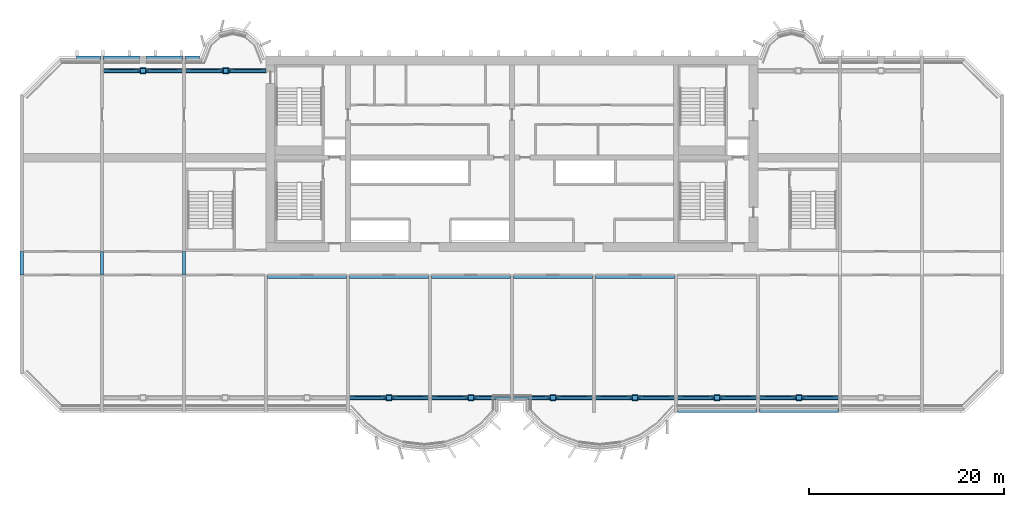
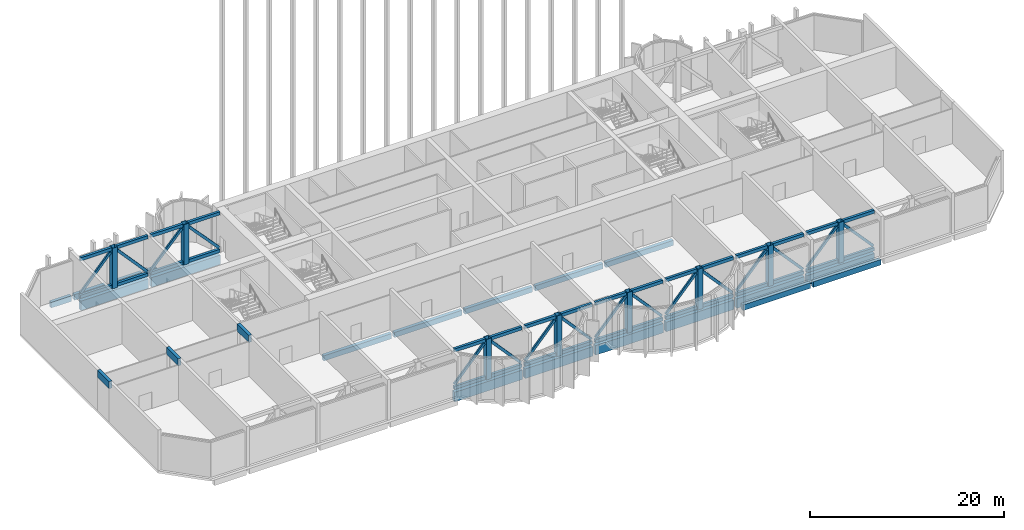
# One storey, part 2 of 17: 56 members, 22 beams.
"""IFC4 building model written with IfcOpenShell, lengths in metres."""

from ifc_helpers import new_model, si_unit, direction, frame, origin, origin_2d, place, context, subcontext, project, spatial, rectangle, hollow_rectangle, extrude, source, transform, mapped, material, material_profile, profile_set, type_object, element, save


model = new_model("IFC4")

# Units and contexts
model_context = context("Model", 3, precision=1e-05, world=origin(), true_north=direction((0.0, 1.0)))
body_context = subcontext(model_context, "Body", "Model", "MODEL_VIEW")
ifc_project = project(units=[si_unit("LENGTHUNIT", "METRE"), si_unit("AREAUNIT", "SQUARE_METRE"), si_unit("VOLUMEUNIT", "CUBIC_METRE"), si_unit("PLANEANGLEUNIT", "RADIAN"), si_unit("MASSUNIT", "GRAM", prefix="KILO")], contexts=[model_context])

# Site, building, storey
site_placement = place(None, origin())
site = spatial("IfcSite", under=ifc_project, at=site_placement, CompositionType="ELEMENT")
building_placement = place(site_placement, origin())
building = spatial("IfcBuilding", under=site, at=building_placement, Name="Vanashikhar Sky Hotel", CompositionType="ELEMENT")
storey_placement = place(building_placement, frame((0.0, 0.0, 140.800048828125)))
storey = spatial("IfcBuildingStorey", under=building, at=storey_placement, Name="L34", CompositionType="ELEMENT", Elevation=140.800048828125)

# Beams
ifc_material_1 = material(Name="Concrete M50", Category="concrete")
ifc_material_profile_1 = material_profile(ifc_material_1, rectangle(XDim=0.35009765625, YDim=0.89990234375, at=origin_2d()))
ifc_profile_set_1 = profile_set([ifc_material_profile_1], Name="RC 350x900 beam Concrete M50")
beam_type_1 = type_object("IfcBeamType", Name="RC 350x900 beam Concrete M50", PredefinedType="LINTEL", material=ifc_profile_set_1)
shared_shape_1 = source(origin(), body_context, "Body", "SweptSolid", [
    extrude(rectangle(XDim=0.35009765625, YDim=0.89990234375, at=origin_2d()), origin(), (0.0, 0.0, 1.0), 2.39990234375),
])
for number, where, z_axis, x_axis, name in (
    (1, (0.175048828125, 19.60009765625, 4.669921875), (0.0, 1.0, 0.0), (-1.0, 0.0, 0.0), "LB-L34-XW01"),
    (2, (8.39990234375, 19.60009765625, 4.669921875), (0.0, 1.0, 0.0), (-1.0, 0.0, 0.0), "LB-L34-XW02"),
    (3, (16.800048828125, 19.60009765625, 4.669921875), (0.0, 1.0, 0.0), (-1.0, 0.0, 0.0), "LB-L34-XW03"),
):
    element("IfcBeam", number, at=place(storey_placement, frame(where, z_axis=z_axis, x_axis=x_axis)), inside=storey, type_object=beam_type_1, Name=name, PredefinedType="LINTEL", context=body_context, shape_type="MappedRepresentation", body=[
        mapped(shared_shape_1, transform((0.0, 0.0, 0.0), scale=1.0)),
    ])
ifc_material_profile_2 = material_profile(ifc_material_1, rectangle(XDim=0.39990234375, YDim=0.699951171875, at=origin_2d()))
ifc_profile_set_2 = profile_set([ifc_material_profile_2], Name="RC 400x700 beam Concrete M50")
beam_type_2 = type_object("IfcBeamType", Name="RC 400x700 beam Concrete M50", PredefinedType="SPANDREL", material=ifc_profile_set_2)
shared_shape_2 = source(origin(), body_context, "Body", "SweptSolid", [
    extrude(rectangle(XDim=0.39990234375, YDim=0.699951171875, at=origin_2d()), origin(), (0.0, 0.0, 1.0), 8.050048828125),
])
for number, where, z_axis, x_axis, name in (
    (4, (67.375, 5.699951171875, -0.630126953125), (1.0, 0.0, 0.0), (0.0, 1.0, 0.0), "EB-L34-F05"),
    (5, (75.77490234375, 5.699951171875, -0.630126953125), (1.0, 0.0, 0.0), (0.0, 1.0, 0.0), "EB-L34-F06"),
):
    element("IfcBeam", number, at=place(storey_placement, frame(where, z_axis=z_axis, x_axis=x_axis)), inside=storey, type_object=beam_type_2, Name=name, PredefinedType="SPANDREL", context=body_context, shape_type="MappedRepresentation", body=[
        mapped(shared_shape_2, transform((0.0, 0.0, 0.0), scale=1.0)),
    ])
shared_shape_3 = source(origin(), body_context, "Body", "SweptSolid", [
    extrude(rectangle(XDim=0.39990234375, YDim=0.699951171875, at=origin_2d()), origin(), (0.0, 0.0, 1.0), 3.675048828125),
])
for number, where, z_axis, x_axis, name in (
    (6, (8.574951171875, 41.800048828125, -0.630126953125), (1.0, 0.0, 0.0), (0.0, 1.0, 0.0), "EB-L34-R01"),
    (7, (12.949951171875, 41.800048828125, -0.630126953125), (1.0, 0.0, 0.0), (0.0, 1.0, 0.0), "EB-L34-R02"),
):
    element("IfcBeam", number, at=place(storey_placement, frame(where, z_axis=z_axis, x_axis=x_axis)), inside=storey, type_object=beam_type_2, Name=name, PredefinedType="SPANDREL", context=body_context, shape_type="MappedRepresentation", body=[
        mapped(shared_shape_3, transform((0.0, 0.0, 0.0), scale=1.0)),
    ])
ifc_material_profile_3 = material_profile(ifc_material_1, rectangle(XDim=0.39990234375, YDim=0.699951171875, at=origin_2d()))
ifc_profile_set_3 = profile_set([ifc_material_profile_3], Name="RC 400x700 cantilever beam Concrete M50")
beam_type_3 = type_object("IfcBeamType", Name="RC 400x700 cantilever beam Concrete M50", PredefinedType="SPANDREL", material=ifc_profile_set_3)
shared_shape_4 = source(origin(), body_context, "Body", "SweptSolid", [
    extrude(rectangle(XDim=0.39990234375, YDim=0.699951171875, at=origin_2d()), origin(), (0.0, 0.0, 1.0), 2.43017578125),
])
beam_1_placement = place(storey_placement, frame((5.794921875, 41.800048828125, -0.630126953125), z_axis=(1.0, 0.0, 0.0), x_axis=(0.0, 1.0, 0.0)))
element("IfcBeam", 8, at=beam_1_placement, inside=storey, type_object=beam_type_3, Name="EB-L34-R03", PredefinedType="SPANDREL", context=body_context, shape_type="MappedRepresentation", body=[
    mapped(shared_shape_4, transform((0.0, 0.0, 0.0), scale=1.0)),
])
shared_shape_5 = source(origin(), body_context, "Body", "SweptSolid", [
    extrude(rectangle(XDim=0.39990234375, YDim=0.699951171875, at=origin_2d()), origin(), (0.0, 0.0, 1.0), 1.4248046875),
])
beam_2_placement = place(storey_placement, frame((16.97509765625, 41.800048828125, -0.630126953125), z_axis=(1.0, 0.0, 0.0), x_axis=(0.0, 1.0, 0.0)))
element("IfcBeam", 9, at=beam_2_placement, inside=storey, type_object=beam_type_3, Name="EB-L34-R04", PredefinedType="SPANDREL", context=body_context, shape_type="MappedRepresentation", body=[
    mapped(shared_shape_5, transform((0.0, 0.0, 0.0), scale=1.0)),
])
ifc_material_profile_4 = material_profile(ifc_material_1, rectangle(XDim=0.39990234375, YDim=0.64990234375, at=origin_2d()))
ifc_profile_set_4 = profile_set([ifc_material_profile_4], Name="RC 400x650 beam Concrete M50")
beam_type_4 = type_object("IfcBeamType", Name="RC 400x650 beam Concrete M50", PredefinedType="BEAM", material=ifc_profile_set_4)
shared_shape_6 = source(origin(), body_context, "Body", "SweptSolid", [
    extrude(rectangle(XDim=0.39990234375, YDim=0.64990234375, at=origin_2d()), origin(), (0.0, 0.0, 1.0), 8.050048828125),
])
for number, where, z_axis, x_axis, name in (
    (10, (25.375, 19.39990234375, -0.60498046875), (1.0, 0.0, 0.0), (0.0, 1.0, 0.0), "CB-L34-01"),
    (11, (33.77490234375, 19.39990234375, -0.60498046875), (1.0, 0.0, 0.0), (0.0, 1.0, 0.0), "CB-L34-02"),
    (12, (42.175048828125, 19.39990234375, -0.60498046875), (1.0, 0.0, 0.0), (0.0, 1.0, 0.0), "CB-L34-03"),
    (13, (50.574951171875, 19.39990234375, -0.60498046875), (1.0, 0.0, 0.0), (0.0, 1.0, 0.0), "CB-L34-04"),
):
    element("IfcBeam", number, at=place(storey_placement, frame(where, z_axis=z_axis, x_axis=x_axis)), inside=storey, type_object=beam_type_4, Name=name, PredefinedType="BEAM", context=body_context, shape_type="MappedRepresentation", body=[
        mapped(shared_shape_6, transform((0.0, 0.0, 0.0), scale=1.0)),
    ])
shared_shape_7 = source(origin(), body_context, "Body", "SweptSolid", [
    extrude(rectangle(XDim=0.39990234375, YDim=0.64990234375, at=origin_2d()), origin(), (0.0, 0.0, 1.0), 8.0498046875),
])
beam_3_placement = place(storey_placement, frame((58.97509765625, 19.39990234375, -0.60498046875), z_axis=(1.0, 0.0, 0.0), x_axis=(0.0, 1.0, 0.0)))
element("IfcBeam", 14, at=beam_3_placement, inside=storey, type_object=beam_type_4, Name="CB-L34-05", PredefinedType="BEAM", context=body_context, shape_type="MappedRepresentation", body=[
    mapped(shared_shape_7, transform((0.0, 0.0, 0.0), scale=1.0)),
])
ifc_material_profile_5 = material_profile(ifc_material_1, rectangle(XDim=0.449951171875, YDim=1.199951171875, at=origin_2d()))
ifc_profile_set_5 = profile_set([ifc_material_profile_5], Name="RC 450x1200 beam Concrete M50")
beam_type_5 = type_object("IfcBeamType", Name="RC 450x1200 beam Concrete M50", PredefinedType="BEAM", material=ifc_profile_set_5)
shared_shape_8 = source(origin(), body_context, "Body", "SweptSolid", [
    extrude(rectangle(XDim=0.449951171875, YDim=1.199951171875, at=origin_2d()), origin(), (0.0, 0.0, 1.0), 8.050048828125),
])
for number, where, z_axis, x_axis, name in (
    (15, (33.77490234375, 7.0, -0.880126953125), (1.0, 0.0, 0.0), (0.0, 1.0, 0.0), "TG-L34-F04"),
    (16, (42.175048828125, 7.0, -0.880126953125), (1.0, 0.0, 0.0), (0.0, 1.0, 0.0), "TG-L34-F05"),
    (17, (50.574951171875, 7.0, -0.880126953125), (1.0, 0.0, 0.0), (0.0, 1.0, 0.0), "TG-L34-F06"),
    (18, (67.375, 7.0, -0.880126953125), (1.0, 0.0, 0.0), (0.0, 1.0, 0.0), "TG-L34-F08"),
    (19, (75.77490234375, 7.0, -0.880126953125), (1.0, 0.0, 0.0), (0.0, 1.0, 0.0), "TG-L34-F09"),
    (20, (8.574951171875, 40.5, -0.880126953125), (1.0, 0.0, 0.0), (0.0, 1.0, 0.0), "TG-L34-R11"),
):
    element("IfcBeam", number, at=place(storey_placement, frame(where, z_axis=z_axis, x_axis=x_axis)), inside=storey, type_object=beam_type_5, Name=name, PredefinedType="BEAM", context=body_context, shape_type="MappedRepresentation", body=[
        mapped(shared_shape_8, transform((0.0, 0.0, 0.0), scale=1.0)),
    ])

# Members
ifc_material_2 = material(Name="Steel S355", Category="steel")
ifc_material_profile_6 = material_profile(ifc_material_2, hollow_rectangle(XDim=0.60009765625, YDim=0.60009765625, WallThickness=0.030029296875, at=origin_2d()))
ifc_profile_set_6 = profile_set([ifc_material_profile_6], Name="RHS 600x600x30 Steel S355")
member_type_1 = type_object("IfcMemberType", Name="RHS 600x600x30 Steel S355", PredefinedType="POST", material=ifc_profile_set_6)
shared_shape_9 = source(origin(), body_context, "Body", "SweptSolid", [
    extrude(hollow_rectangle(XDim=0.60009765625, YDim=0.60009765625, WallThickness=0.030029296875, at=origin_2d()), origin(), (0.0, 0.0, 1.0), 5.119873046875),
])
for number, where, z_axis, x_axis, name in (
    (21, (37.800048828125, 7.0, 0.0), (0.0, 0.0, 1.0), (1.0, 0.0, 0.0), "BP-L34-F04"),
    (22, (46.199951171875, 7.0, 0.0), (0.0, 0.0, 1.0), (1.0, 0.0, 0.0), "BP-L34-F05"),
    (23, (54.60009765625, 7.0, 0.0), (0.0, 0.0, 1.0), (1.0, 0.0, 0.0), "BP-L34-F06"),
    (24, (63.0, 7.0, 0.0), (0.0, 0.0, 1.0), (1.0, 0.0, 0.0), "BP-L34-F07"),
    (25, (71.39990234375, 7.0, 0.0), (0.0, 0.0, 1.0), (1.0, 0.0, 0.0), "BP-L34-F08"),
    (26, (79.800048828125, 7.0, 0.0), (0.0, 0.0, 1.0), (1.0, 0.0, 0.0), "BP-L34-F09"),
    (27, (12.60009765625, 40.5, 0.0), (0.0, 0.0, 1.0), (1.0, 0.0, 0.0), "BP-L34-R11"),
    (28, (21.08740234375, 40.5, 0.0), (0.0, 0.0, 1.0), (1.0, 0.0, 0.0), "BP-L34-R12"),
):
    element("IfcMember", number, at=place(storey_placement, frame(where, z_axis=z_axis, x_axis=x_axis)), inside=storey, type_object=member_type_1, Name=name, PredefinedType="POST", context=body_context, shape_type="MappedRepresentation", body=[
        mapped(shared_shape_9, transform((0.0, 0.0, 0.0), scale=1.0)),
    ])
ifc_material_profile_7 = material_profile(ifc_material_2, hollow_rectangle(XDim=0.300048828125, YDim=0.39990234375, WallThickness=0.01611328125, at=origin_2d()))
ifc_profile_set_7 = profile_set([ifc_material_profile_7], Name="RHS 400x300x16 Steel S355")
member_type_2 = type_object("IfcMemberType", Name="RHS 400x300x16 Steel S355", PredefinedType="CHORD", material=ifc_profile_set_7)
shared_shape_10 = source(origin(), body_context, "Body", "SweptSolid", [
    extrude(hollow_rectangle(XDim=0.300048828125, YDim=0.39990234375, WallThickness=0.01611328125, at=origin_2d()), origin(), (0.0, 0.0, 1.0), 3.72509765625),
])
for number, where, z_axis, x_axis, name in (
    (29, (33.77490234375, 7.0, 0.199951171875), (1.0, 0.0, 0.0), (0.0, 1.0, 0.0), "BC-L34-F04BL"),
    (30, (33.77490234375, 7.0, 4.919921875), (1.0, 0.0, 0.0), (0.0, 1.0, 0.0), "BC-L34-F04TL"),
    (31, (46.5, 7.0, 0.199951171875), (1.0, 0.0, 0.0), (0.0, 1.0, 0.0), "BC-L34-F05BR"),
    (32, (46.5, 7.0, 4.919921875), (1.0, 0.0, 0.0), (0.0, 1.0, 0.0), "BC-L34-F05TR"),
    (33, (50.574951171875, 7.0, 0.199951171875), (1.0, 0.0, 0.0), (0.0, 1.0, 0.0), "BC-L34-F06BL"),
    (34, (54.89990234375, 7.0, 0.199951171875), (1.0, 0.0, 0.0), (0.0, 1.0, 0.0), "BC-L34-F06BR"),
    (35, (50.574951171875, 7.0, 4.919921875), (1.0, 0.0, 0.0), (0.0, 1.0, 0.0), "BC-L34-F06TL"),
    (36, (54.89990234375, 7.0, 4.919921875), (1.0, 0.0, 0.0), (0.0, 1.0, 0.0), "BC-L34-F06TR"),
    (37, (67.375, 7.0, 0.199951171875), (1.0, 0.0, 0.0), (0.0, 1.0, 0.0), "BC-L34-F08BL"),
    (38, (71.699951171875, 7.0, 0.199951171875), (1.0, 0.0, 0.0), (0.0, 1.0, 0.0), "BC-L34-F08BR"),
    (39, (67.375, 7.0, 4.919921875), (1.0, 0.0, 0.0), (0.0, 1.0, 0.0), "BC-L34-F08TL"),
    (40, (71.699951171875, 7.0, 4.919921875), (1.0, 0.0, 0.0), (0.0, 1.0, 0.0), "BC-L34-F08TR"),
    (41, (75.77490234375, 7.0, 0.199951171875), (1.0, 0.0, 0.0), (0.0, 1.0, 0.0), "BC-L34-F09BL"),
    (42, (75.77490234375, 7.0, 4.919921875), (1.0, 0.0, 0.0), (0.0, 1.0, 0.0), "BC-L34-F09TL"),
    (43, (8.574951171875, 40.5, 0.199951171875), (1.0, 0.0, 0.0), (0.0, 1.0, 0.0), "BC-L34-R11BL"),
    (44, (12.89990234375, 40.5, 0.199951171875), (1.0, 0.0, 0.0), (0.0, 1.0, 0.0), "BC-L34-R11BR"),
    (45, (8.574951171875, 40.5, 4.919921875), (1.0, 0.0, 0.0), (0.0, 1.0, 0.0), "BC-L34-R11TL"),
    (46, (12.89990234375, 40.5, 4.919921875), (1.0, 0.0, 0.0), (0.0, 1.0, 0.0), "BC-L34-R11TR"),
):
    element("IfcMember", number, at=place(storey_placement, frame(where, z_axis=z_axis, x_axis=x_axis)), inside=storey, type_object=member_type_2, Name=name, PredefinedType="CHORD", context=body_context, shape_type="MappedRepresentation", body=[
        mapped(shared_shape_10, transform((0.0, 0.0, 0.0), scale=1.0)),
    ])
ifc_material_profile_8 = material_profile(ifc_material_2, hollow_rectangle(XDim=0.199951171875, YDim=0.300048828125, WallThickness=0.011962890625, at=origin_2d()))
ifc_profile_set_8 = profile_set([ifc_material_profile_8], Name="RHS 300x200x12 Steel S355")
member_type_3 = type_object("IfcMemberType", Name="RHS 300x200x12 Steel S355", PredefinedType="BRACE", material=ifc_profile_set_8)
shared_shape_11 = source(origin(), body_context, "Body", "SweptSolid", [
    extrude(hollow_rectangle(XDim=0.199951171875, YDim=0.300048828125, WallThickness=0.011962890625, at=origin_2d()), origin(), (0.0, 0.0, 1.0), 5.285400390625),
])
for number, where, z_axis, x_axis, name in (
    (47, (33.864990234375, 7.0, 0.599853515625), (0.670716146673, 0.0, 0.741714129967), (0.0, 1.0, 0.0), "BD-L34-F04L"),
    (48, (50.135009765625, 7.0, 0.599853515625), (-0.670716146673, 0.0, 0.741714129967), (0.0, -1.0, 0.0), "BD-L34-F05R"),
    (49, (50.6650390625, 7.0, 0.599853515625), (0.670716146673, 0.0, 0.741714129967), (0.0, 1.0, 0.0), "BD-L34-F06L"),
    (50, (58.534912109375, 7.0, 0.599853515625), (-0.670716146673, 0.0, 0.741714129967), (0.0, -1.0, 0.0), "BD-L34-F06R"),
    (51, (67.465087890625, 7.0, 0.599853515625), (0.670716146673, 0.0, 0.741714129967), (0.0, 1.0, 0.0), "BD-L34-F08L"),
    (52, (75.3349609375, 7.0, 0.599853515625), (-0.670716146673, 0.0, 0.741714129967), (0.0, -1.0, 0.0), "BD-L34-F08R"),
    (53, (75.864990234375, 7.0, 0.599853515625), (0.670716146673, 0.0, 0.741714129967), (0.0, 1.0, 0.0), "BD-L34-F09L"),
    (54, (8.6650390625, 40.5, 0.599853515625), (0.670716146673, 0.0, 0.741714129967), (0.0, 1.0, 0.0), "BD-L34-R11L"),
    (55, (16.534912109375, 40.5, 0.599853515625), (-0.670716146673, 0.0, 0.741714129967), (0.0, -1.0, 0.0), "BD-L34-R11R"),
):
    element("IfcMember", number, at=place(storey_placement, frame(where, z_axis=z_axis, x_axis=x_axis)), inside=storey, type_object=member_type_3, Name=name, PredefinedType="BRACE", context=body_context, shape_type="MappedRepresentation", body=[
        mapped(shared_shape_11, transform((0.0, 0.0, 0.0), scale=1.0)),
    ])

# Beam
shared_shape_12 = source(origin(), body_context, "Body", "SweptSolid", [
    extrude(rectangle(XDim=0.449951171875, YDim=1.199951171875, at=origin_2d()), origin(), (0.0, 0.0, 1.0), 8.0498046875),
])
beam_4_placement = place(storey_placement, frame((58.97509765625, 7.0, -0.880126953125), z_axis=(1.0, 0.0, 0.0), x_axis=(0.0, 1.0, 0.0)))
element("IfcBeam", 56, at=beam_4_placement, inside=storey, type_object=beam_type_5, Name="TG-L34-F07", PredefinedType="BEAM", context=body_context, shape_type="MappedRepresentation", body=[
    mapped(shared_shape_12, transform((0.0, 0.0, 0.0), scale=1.0)),
])

# Members
shared_shape_13 = source(origin(), body_context, "Body", "SweptSolid", [
    extrude(hollow_rectangle(XDim=0.300048828125, YDim=0.39990234375, WallThickness=0.01611328125, at=origin_2d()), origin(), (0.0, 0.0, 1.0), 3.724853515625),
])
for number, where, z_axis, x_axis, name in (
    (57, (38.10009765625, 7.0, 0.199951171875), (1.0, 0.0, 0.0), (0.0, 1.0, 0.0), "BC-L34-F04BR"),
    (58, (38.10009765625, 7.0, 4.919921875), (1.0, 0.0, 0.0), (0.0, 1.0, 0.0), "BC-L34-F04TR"),
    (59, (42.175048828125, 7.0, 0.199951171875), (1.0, 0.0, 0.0), (0.0, 1.0, 0.0), "BC-L34-F05BL"),
    (60, (42.175048828125, 7.0, 4.919921875), (1.0, 0.0, 0.0), (0.0, 1.0, 0.0), "BC-L34-F05TL"),
    (61, (58.97509765625, 7.0, 0.199951171875), (1.0, 0.0, 0.0), (0.0, 1.0, 0.0), "BC-L34-F07BL"),
    (62, (63.300048828125, 7.0, 0.199951171875), (1.0, 0.0, 0.0), (0.0, 1.0, 0.0), "BC-L34-F07BR"),
    (63, (58.97509765625, 7.0, 4.919921875), (1.0, 0.0, 0.0), (0.0, 1.0, 0.0), "BC-L34-F07TL"),
    (64, (63.300048828125, 7.0, 4.919921875), (1.0, 0.0, 0.0), (0.0, 1.0, 0.0), "BC-L34-F07TR"),
    (65, (80.10009765625, 7.0, 0.199951171875), (1.0, 0.0, 0.0), (0.0, 1.0, 0.0), "BC-L34-F09BR"),
    (66, (80.10009765625, 7.0, 4.919921875), (1.0, 0.0, 0.0), (0.0, 1.0, 0.0), "BC-L34-F09TR"),
):
    element("IfcMember", number, at=place(storey_placement, frame(where, z_axis=z_axis, x_axis=x_axis)), inside=storey, type_object=member_type_2, Name=name, PredefinedType="CHORD", context=body_context, shape_type="MappedRepresentation", body=[
        mapped(shared_shape_13, transform((0.0, 0.0, 0.0), scale=1.0)),
    ])
shared_shape_14 = source(origin(), body_context, "Body", "SweptSolid", [
    extrude(hollow_rectangle(XDim=0.199951171875, YDim=0.300048828125, WallThickness=0.011962890625, at=origin_2d()), origin(), (0.0, 0.0, 1.0), 5.285400390625),
])
for number, where, z_axis, x_axis, name in (
    (67, (41.735107421875, 7.0, 0.599853515625), (-0.670741557866, 0.0, 0.741691150379), (0.0, -1.0, 0.0), "BD-L34-F04R"),
    (68, (42.264892578125, 7.0, 0.599853515625), (0.670741557866, 0.0, 0.741691150379), (0.0, 1.0, 0.0), "BD-L34-F05L"),
    (69, (59.06494140625, 7.0, 0.599853515625), (0.670741557866, 0.0, 0.741691150379), (0.0, 1.0, 0.0), "BD-L34-F07L"),
    (70, (66.93505859375, 7.0, 0.599853515625), (-0.670741557866, 0.0, 0.741691150379), (0.0, -1.0, 0.0), "BD-L34-F07R"),
    (71, (83.735107421875, 7.0, 0.599853515625), (-0.670741557866, 0.0, 0.741691150379), (0.0, -1.0, 0.0), "BD-L34-F09R"),
):
    element("IfcMember", number, at=place(storey_placement, frame(where, z_axis=z_axis, x_axis=x_axis)), inside=storey, type_object=member_type_3, Name=name, PredefinedType="BRACE", context=body_context, shape_type="MappedRepresentation", body=[
        mapped(shared_shape_14, transform((0.0, 0.0, 0.0), scale=1.0)),
    ])

# Beam
shared_shape_15 = source(origin(), body_context, "Body", "SweptSolid", [
    extrude(rectangle(XDim=0.449951171875, YDim=1.199951171875, at=origin_2d()), origin(), (0.0, 0.0, 1.0), 8.224853515625),
])
beam_5_placement = place(storey_placement, frame((16.97509765625, 40.5, -0.880126953125), z_axis=(1.0, 0.0, 0.0), x_axis=(0.0, 1.0, 0.0)))
element("IfcBeam", 72, at=beam_5_placement, inside=storey, type_object=beam_type_5, Name="TG-L34-R12", PredefinedType="BEAM", context=body_context, shape_type="MappedRepresentation", body=[
    mapped(shared_shape_15, transform((0.0, 0.0, 0.0), scale=1.0)),
])

# Members
shared_shape_16 = source(origin(), body_context, "Body", "SweptSolid", [
    extrude(hollow_rectangle(XDim=0.300048828125, YDim=0.39990234375, WallThickness=0.01611328125, at=origin_2d()), origin(), (0.0, 0.0, 1.0), 3.8125),
])
for number, where, z_axis, x_axis, name in (
    (73, (16.97509765625, 40.5, 0.199951171875), (1.0, 0.0, 0.0), (0.0, 1.0, 0.0), "BC-L34-R12BL"),
    (74, (21.387451171875, 40.5, 0.199951171875), (1.0, 0.0, 0.0), (0.0, 1.0, 0.0), "BC-L34-R12BR"),
    (75, (16.97509765625, 40.5, 4.919921875), (1.0, 0.0, 0.0), (0.0, 1.0, 0.0), "BC-L34-R12TL"),
    (76, (21.387451171875, 40.5, 4.919921875), (1.0, 0.0, 0.0), (0.0, 1.0, 0.0), "BC-L34-R12TR"),
):
    element("IfcMember", number, at=place(storey_placement, frame(where, z_axis=z_axis, x_axis=x_axis)), inside=storey, type_object=member_type_2, Name=name, PredefinedType="CHORD", context=body_context, shape_type="MappedRepresentation", body=[
        mapped(shared_shape_16, transform((0.0, 0.0, 0.0), scale=1.0)),
    ])
shared_shape_17 = source(origin(), body_context, "Body", "SweptSolid", [
    extrude(hollow_rectangle(XDim=0.199951171875, YDim=0.300048828125, WallThickness=0.011962890625, at=origin_2d()), origin(), (0.0, 0.0, 1.0), 5.344482421875),
])
for number, where, z_axis, x_axis, name in (
    (77, (17.06494140625, 40.5, 0.599853515625), (0.679688545884, 0.0, 0.73350083885), (0.0, 1.0, 0.0), "BD-L34-R12L"),
    (78, (25.110107421875, 40.5, 0.599853515625), (-0.679688545884, 0.0, 0.73350083885), (0.0, -1.0, 0.0), "BD-L34-R12R"),
):
    element("IfcMember", number, at=place(storey_placement, frame(where, z_axis=z_axis, x_axis=x_axis)), inside=storey, type_object=member_type_3, Name=name, PredefinedType="BRACE", context=body_context, shape_type="MappedRepresentation", body=[
        mapped(shared_shape_17, transform((0.0, 0.0, 0.0), scale=1.0)),
    ])

save(model, "model.ifc")
